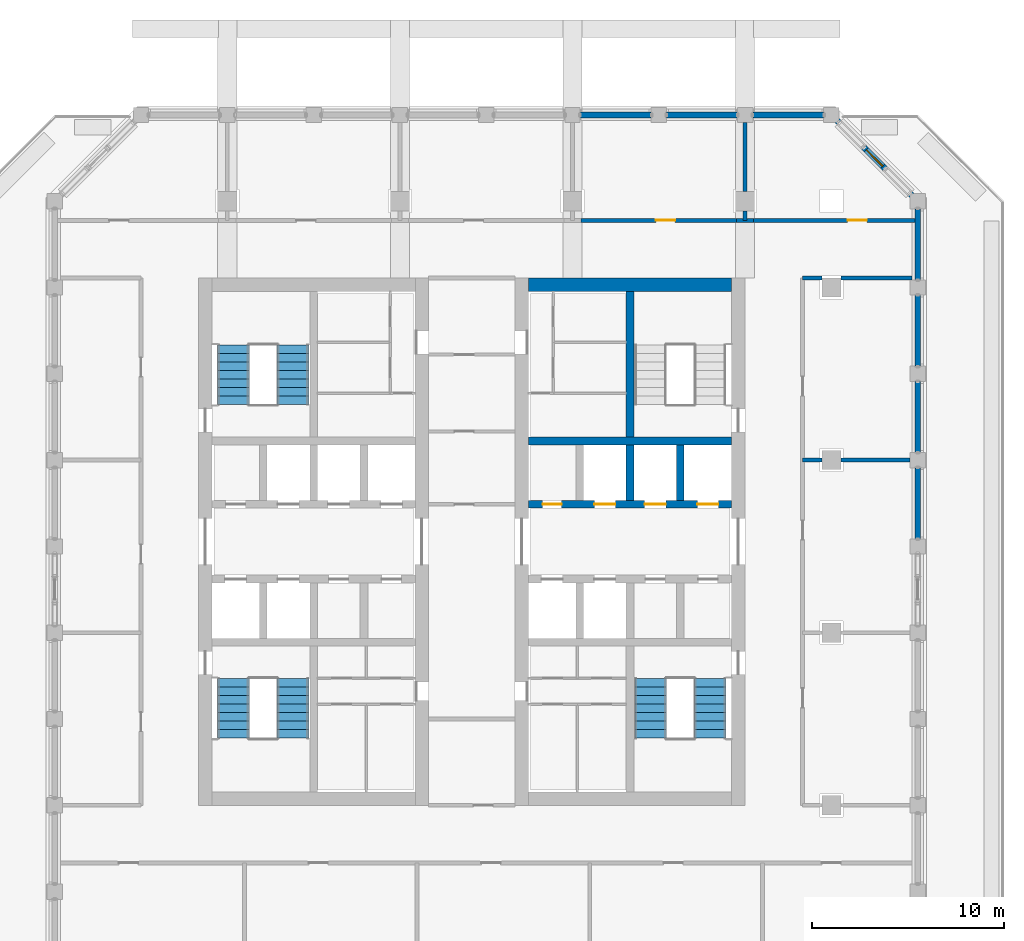
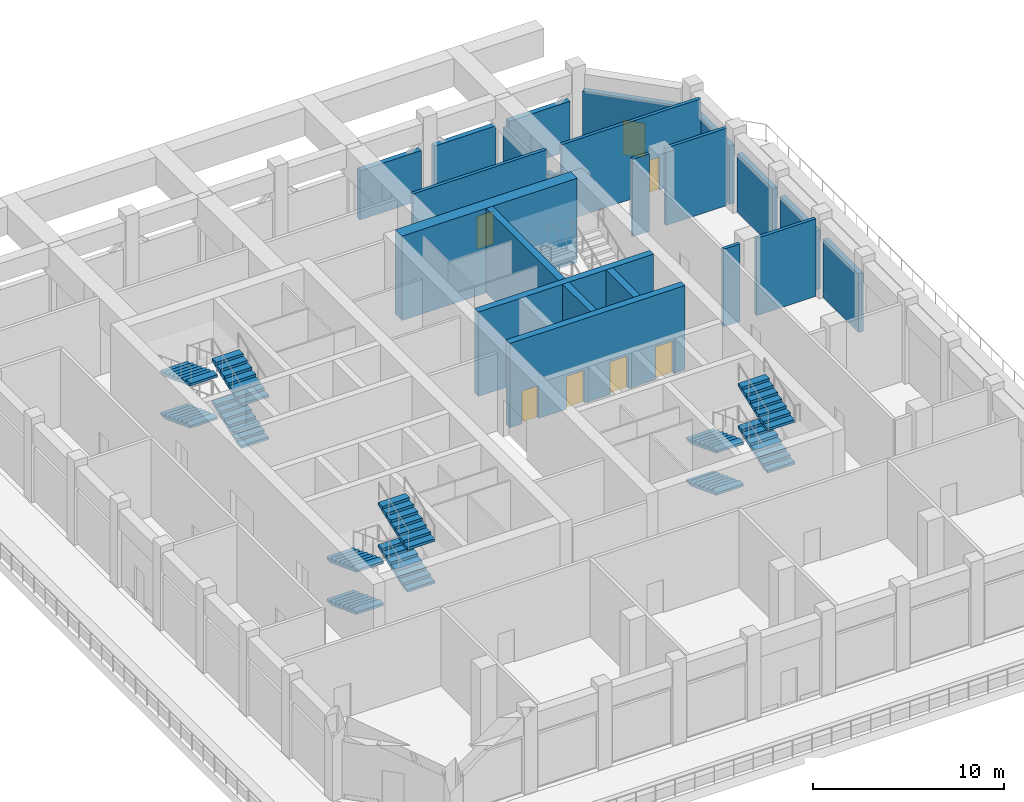
# One storey, part 7 of 19: 23 walls, 12 stair flights, 7 doors, 7 openings, 3 elements without a shape of their own.
"""IFC4 building model written with IfcOpenShell, lengths in metres."""

from ifc_helpers import new_model, si_unit, direction, frame, frame_2d, origin, place, context, subcontext, project, spatial, polyline, rectangle, outline, extrude, material, layer, layer_set, type_object, element, fill, aggregate, save


model = new_model("IFC4")

# Units and contexts
model_context = context("Model", 3, precision=1e-05, world=origin(), true_north=direction((0.0, 1.0)))
body_context = subcontext(model_context, "Body", "Model", "MODEL_VIEW")
ifc_project = project(units=[si_unit("LENGTHUNIT", "METRE"), si_unit("AREAUNIT", "SQUARE_METRE"), si_unit("VOLUMEUNIT", "CUBIC_METRE"), si_unit("PLANEANGLEUNIT", "RADIAN"), si_unit("MASSUNIT", "GRAM", prefix="KILO")], contexts=[model_context])

# Site, building, storey
site_placement = place(None, origin())
site = spatial("IfcSite", under=ifc_project, at=site_placement, CompositionType="ELEMENT")
building_placement = place(site_placement, origin())
building = spatial("IfcBuilding", under=site, at=building_placement, Name="Corbel Stack Research Tower", CompositionType="ELEMENT")
storey_placement = place(building_placement, frame((0.0, 0.0, 226.199951171875)))
storey = spatial("IfcBuildingStorey", under=building, at=storey_placement, Name="L51", CompositionType="ELEMENT", Elevation=226.199951171875)

# Wall, openings, doors
ifc_material_1 = material(Name="Concrete C60/75", Category="concrete")
ifc_layer_1 = layer(ifc_material_1, 0.39990234375)
ifc_layer_set_1 = layer_set([ifc_layer_1], Name="Concrete C60/75")
wall_type_1 = type_object("IfcWallType", Name="CW-400-60", PredefinedType="SHEAR", material=ifc_layer_set_1)
wall_1_placement = place(storey_placement, frame((6.699951171875, 6.699951171875, 0.0), z_axis=(0.0, 0.0, 1.0), x_axis=(1.0, 0.0, 0.0)))
wall_1 = element("IfcWall", 1, at=wall_1_placement, inside=storey, type_object=wall_type_1, Name="East core wall, lobby north L51", PredefinedType="SHEAR", context=body_context, shape_type="SweptSolid", body=[
    extrude(rectangle(XDim=10.60009765625, YDim=0.39990234375, at=frame_2d((5.300048828125, 0.0))), origin(), (0.0, 0.0, 1.0), 5.400146484375),
])
opening_1_placement = place(wall_1_placement, frame((3.4375, 0.0, 0.0)))
opening_1 = element("IfcOpeningElement", 2, at=opening_1_placement, cuts=wall_1, Name="Opening LD-HR4", PredefinedType="OPENING", context=body_context, shape_type="SweptSolid", body=[
    extrude(rectangle(XDim=1.10009765625, YDim=2.10009765625, at=frame_2d((0.550048828125, 1.050048828125))), frame((0.0, 0.2099609375, 0.0), z_axis=(0.0, -1.0, 0.0), x_axis=(1.0, 0.0, 0.0)), (0.0, 0.0, 1.0), 0.419921875),
])
opening_2_placement = place(wall_1_placement, frame((6.0625, 0.0, 0.0)))
opening_2 = element("IfcOpeningElement", 3, at=opening_2_placement, cuts=wall_1, Name="Opening LD-HR5", PredefinedType="OPENING", context=body_context, shape_type="SweptSolid", body=[
    extrude(rectangle(XDim=1.10009765625, YDim=2.10009765625, at=frame_2d((0.550048828125, 1.050048828125))), frame((0.0, 0.2099609375, 0.0), z_axis=(0.0, -1.0, 0.0), x_axis=(1.0, 0.0, 0.0)), (0.0, 0.0, 1.0), 0.419921875),
])
opening_3_placement = place(wall_1_placement, frame((8.8125, 0.0, 0.0)))
opening_3 = element("IfcOpeningElement", 4, at=opening_3_placement, cuts=wall_1, Name="Opening LD-HR6", PredefinedType="OPENING", context=body_context, shape_type="SweptSolid", body=[
    extrude(rectangle(XDim=1.10009765625, YDim=2.10009765625, at=frame_2d((0.550048828125, 1.050048828125))), frame((0.0, 0.2099609375, 0.0), z_axis=(0.0, -1.0, 0.0), x_axis=(1.0, 0.0, 0.0)), (0.0, 0.0, 1.0), 0.419921875),
])
opening_4_placement = place(wall_1_placement, frame((0.737548828125, 0.0, 0.0)))
opening_4 = element("IfcOpeningElement", 5, at=opening_4_placement, cuts=wall_1, Name="Opening CR-E54-N1", PredefinedType="OPENING", context=body_context, shape_type="SweptSolid", body=[
    extrude(rectangle(XDim=1.0, YDim=2.10009765625, at=frame_2d((0.5, 1.050048828125))), frame((0.0, 0.2099609375, 0.0), z_axis=(0.0, -1.0, 0.0), x_axis=(1.0, 0.0, 0.0)), (0.0, 0.0, 1.0), 0.419921875),
])
ifc_material_2 = material(Name="Stainless steel landing door", Category="steel")
door_type_1 = type_object("IfcDoorType", Name="Lift landing door 1100 x 2100", OperationType="DOUBLE_DOOR_SLIDING", PredefinedType="DOOR", material=ifc_material_2)
door_1_placement = place(opening_1_placement, origin())
door_1 = element("IfcDoor", 6, at=door_1_placement, inside=storey, type_object=door_type_1, Name="Landing door HR4", OperationType="DOUBLE_DOOR_SLIDING", OverallHeight=2.10009765625, OverallWidth=1.10009765625, PredefinedType="DOOR", context=body_context, shape_type="SweptSolid", body=[
    extrude(rectangle(XDim=1.10009765625, YDim=2.10009765625, at=frame_2d((0.550048828125, 1.050048828125))), frame((0.0, 0.02490234375, 0.0), z_axis=(0.0, -1.0, 0.0), x_axis=(1.0, 0.0, 0.0)), (0.0, 0.0, 1.0), 0.050048828125),
])
fill(opening_1, door_1)
door_2_placement = place(opening_2_placement, origin())
door_2 = element("IfcDoor", 7, at=door_2_placement, inside=storey, type_object=door_type_1, Name="Landing door HR5", OperationType="DOUBLE_DOOR_SLIDING", OverallHeight=2.10009765625, OverallWidth=1.10009765625, PredefinedType="DOOR", context=body_context, shape_type="SweptSolid", body=[
    extrude(rectangle(XDim=1.10009765625, YDim=2.10009765625, at=frame_2d((0.550048828125, 1.050048828125))), frame((0.0, 0.02490234375, 0.0), z_axis=(0.0, -1.0, 0.0), x_axis=(1.0, 0.0, 0.0)), (0.0, 0.0, 1.0), 0.050048828125),
])
fill(opening_2, door_2)
door_3_placement = place(opening_3_placement, origin())
door_3 = element("IfcDoor", 8, at=door_3_placement, inside=storey, type_object=door_type_1, Name="Landing door HR6", OperationType="DOUBLE_DOOR_SLIDING", OverallHeight=2.10009765625, OverallWidth=1.10009765625, PredefinedType="DOOR", context=body_context, shape_type="SweptSolid", body=[
    extrude(rectangle(XDim=1.10009765625, YDim=2.10009765625, at=frame_2d((0.550048828125, 1.050048828125))), frame((0.0, 0.02490234375, 0.0), z_axis=(0.0, -1.0, 0.0), x_axis=(1.0, 0.0, 0.0)), (0.0, 0.0, 1.0), 0.050048828125),
])
fill(opening_3, door_3)
ifc_material_3 = material(Name="Painted steel door", Category="steel")
door_type_2 = type_object("IfcDoorType", Name="Service door 1000 x 2100 FD60 left hand", OperationType="SINGLE_SWING_LEFT", PredefinedType="DOOR", material=ifc_material_3)
door_4_placement = place(opening_4_placement, origin())
door_4 = element("IfcDoor", 9, at=door_4_placement, inside=storey, type_object=door_type_2, Name="Mechanical room door E core", OperationType="SINGLE_SWING_LEFT", OverallHeight=2.10009765625, OverallWidth=1.0, PredefinedType="DOOR", context=body_context, shape_type="SweptSolid", body=[
    extrude(rectangle(XDim=1.0, YDim=2.10009765625, at=frame_2d((0.5, 1.050048828125))), frame((0.0, 0.02490234375, 0.0), z_axis=(0.0, -1.0, 0.0), x_axis=(1.0, 0.0, 0.0)), (0.0, 0.0, 1.0), 0.050048828125),
])
fill(opening_4, door_4)

# Walls
wall_2_placement = place(storey_placement, frame((6.699951171875, 10.0, 0.0), z_axis=(0.0, 0.0, 1.0), x_axis=(1.0, 0.0, 0.0)))
element("IfcWall", 10, at=wall_2_placement, inside=storey, type_object=wall_type_1, Name="East core wall, north row back L51", PredefinedType="SHEAR", context=body_context, shape_type="SweptSolid", body=[
    extrude(rectangle(XDim=10.60009765625, YDim=0.39990234375, at=frame_2d((5.300048828125, 0.0))), origin(), (0.0, 0.0, 1.0), 5.400146484375),
])
for number, where, z_axis, x_axis, name in (
    (11, (12.0, 6.89990234375, 0.0), (0.0, 0.0, 1.0), (0.0, 1.0, 0.0), "East core wall, north shaft 2 L51"),
    (12, (14.625, 6.89990234375, 0.0), (0.0, 0.0, 1.0), (0.0, 1.0, 0.0), "East core wall, north shaft 3 L51"),
):
    element("IfcWall", number, at=place(storey_placement, frame(where, z_axis=z_axis, x_axis=x_axis)), inside=storey, type_object=wall_type_1, Name=name, PredefinedType="SHEAR", context=body_context, shape_type="SweptSolid", body=[
        extrude(rectangle(XDim=2.900146484375, YDim=0.39990234375, at=frame_2d((1.4501953125, 0.0))), origin(), (0.0, 0.0, 1.0), 5.400146484375),
    ])
wall_3_placement = place(storey_placement, frame((12.0, 10.199951171875, 0.0), z_axis=(0.0, 0.0, 1.0), x_axis=(0.0, 1.0, 0.0)))
element("IfcWall", 13, at=wall_3_placement, inside=storey, type_object=wall_type_1, Name="East core wall, north stair and riser L51", PredefinedType="SHEAR", context=body_context, shape_type="SweptSolid", body=[
    extrude(rectangle(XDim=7.60009765625, YDim=0.39990234375, at=frame_2d((3.800048828125, 0.0))), origin(), (0.0, 0.0, 1.0), 5.400146484375),
])
ifc_material_4 = material(Name="Concrete C60/75", Category="concrete")
ifc_layer_2 = layer(ifc_material_4, 0.699951171875)
ifc_layer_set_2 = layer_set([ifc_layer_2], Name="Concrete C60/75")
wall_type_2 = type_object("IfcWallType", Name="CW-700-60", PredefinedType="SHEAR", material=ifc_layer_set_2)
wall_4_placement = place(storey_placement, frame((6.699951171875, 18.14990234375, 0.0), z_axis=(0.0, 0.0, 1.0), x_axis=(1.0, 0.0, 0.0)))
element("IfcWall", 14, at=wall_4_placement, inside=storey, type_object=wall_type_2, Name="East core wall, north end L51", PredefinedType="SHEAR", context=body_context, shape_type="SweptSolid", body=[
    extrude(rectangle(XDim=10.60009765625, YDim=0.699951171875, at=frame_2d((5.300048828125, 0.0))), origin(), (0.0, 0.0, 1.0), 5.400146484375),
])
ifc_material_5 = material(Name="Fire-rated gypsum board partition on steel studs", Category="steel")
ifc_layer_3 = layer(ifc_material_5, 0.199951171875)
ifc_layer_set_3 = layer_set([ifc_layer_3], Name="Fire-rated gypsum board partition on steel studs")
wall_type_3 = type_object("IfcWallType", Name="Fire-rated partition 200 EI 60", PredefinedType="PARTITIONING", material=ifc_layer_set_3)
wall_5_placement = place(storey_placement, frame((18.0, 21.5, 0.0), z_axis=(0.0, 0.0, 1.0), x_axis=(0.0, 1.0, 0.0)))
element("IfcWall", 15, at=wall_5_placement, inside=storey, type_object=wall_type_3, Name="Partition L51-011", PredefinedType="PARTITIONING", context=body_context, shape_type="SweptSolid", body=[
    extrude(rectangle(XDim=0.5, YDim=0.199951171875, at=frame_2d((0.25, 0.0))), origin(), (0.0, 0.0, 1.0), 3.1201171875),
])
wall_6_placement = place(storey_placement, frame((18.0, 23.0, 0.0), z_axis=(0.0, 0.0, 1.0), x_axis=(0.0, 1.0, 0.0)))
element("IfcWall", 16, at=wall_6_placement, inside=storey, type_object=wall_type_3, Name="Partition L51-012", PredefinedType="PARTITIONING", context=body_context, shape_type="SweptSolid", body=[
    extrude(rectangle(XDim=3.60009765625, YDim=0.199951171875, at=frame_2d((1.800048828125, 0.0))), origin(), (0.0, 0.0, 1.0), 3.1201171875),
])
wall_7_placement = place(storey_placement, frame((21.0, 9.0, 0.0), z_axis=(0.0, 0.0, 1.0), x_axis=(1.0, 0.0, 0.0)))
element("IfcWall", 17, at=wall_7_placement, inside=storey, type_object=wall_type_3, Name="Partition L51-026", PredefinedType="PARTITIONING", context=body_context, shape_type="SweptSolid", body=[
    extrude(rectangle(XDim=1.0, YDim=0.199951171875, at=frame_2d((0.5, 0.0))), origin(), (0.0, 0.0, 1.0), 4.949951171875),
])
wall_8_placement = place(storey_placement, frame((23.0, 9.0, 0.0), z_axis=(0.0, 0.0, 1.0), x_axis=(1.0, 0.0, 0.0)))
element("IfcWall", 18, at=wall_8_placement, inside=storey, type_object=wall_type_3, Name="Partition L51-027", PredefinedType="PARTITIONING", context=body_context, shape_type="SweptSolid", body=[
    extrude(rectangle(XDim=3.60009765625, YDim=0.199951171875, at=frame_2d((1.800048828125, 0.0))), origin(), (0.0, 0.0, 1.0), 4.949951171875),
])
wall_9_placement = place(storey_placement, frame((21.0, 18.5, 0.0), z_axis=(0.0, 0.0, 1.0), x_axis=(1.0, 0.0, 0.0)))
element("IfcWall", 19, at=wall_9_placement, inside=storey, type_object=wall_type_3, Name="Partition L51-032", PredefinedType="PARTITIONING", context=body_context, shape_type="SweptSolid", body=[
    extrude(rectangle(XDim=1.0, YDim=0.199951171875, at=frame_2d((0.5, 0.0))), origin(), (0.0, 0.0, 1.0), 4.949951171875),
])
wall_10_placement = place(storey_placement, frame((23.0, 18.5, 0.0), z_axis=(0.0, 0.0, 1.0), x_axis=(1.0, 0.0, 0.0)))
element("IfcWall", 20, at=wall_10_placement, inside=storey, type_object=wall_type_3, Name="Partition L51-033", PredefinedType="PARTITIONING", context=body_context, shape_type="SweptSolid", body=[
    extrude(rectangle(XDim=3.700927734375, YDim=0.199951171875, at=frame_2d((1.8505859375, 0.0))), origin(), (0.0, 0.0, 1.0), 4.949951171875),
])

# Wall, opening, door
wall_11_placement = place(storey_placement, frame((9.449951171875, 21.5, 0.0), z_axis=(0.0, 0.0, 1.0), x_axis=(1.0, 0.0, 0.0)))
wall_11 = element("IfcWall", 21, at=wall_11_placement, inside=storey, type_object=wall_type_3, Name="Partition L51-040", PredefinedType="PARTITIONING", context=body_context, shape_type="SweptSolid", body=[
    extrude(rectangle(XDim=8.10009765625, YDim=0.199951171875, at=frame_2d((4.050048828125, 0.0))), origin(), (0.0, 0.0, 1.0), 4.949951171875),
])
opening_5_placement = place(wall_11_placement, frame((3.89990234375, 0.0, 0.0)))
opening_5 = element("IfcOpeningElement", 22, at=opening_5_placement, cuts=wall_11, Name="Opening PLANTL51-019", PredefinedType="OPENING", context=body_context, shape_type="SweptSolid", body=[
    extrude(rectangle(XDim=1.0, YDim=2.10009765625, at=frame_2d((0.5, 1.050048828125))), frame((0.0, 0.10986328125, 0.0), z_axis=(0.0, -1.0, 0.0), x_axis=(1.0, 0.0, 0.0)), (0.0, 0.0, 1.0), 0.219970703125),
])
ifc_material_6 = material(Name="Painted steel fire door", Category="steel")
door_type_3 = type_object("IfcDoorType", Name="Fire door FD30S 1000 x 2100", OperationType="NOTDEFINED", PredefinedType="DOOR", material=ifc_material_6)
door_5_placement = place(opening_5_placement, origin())
door_5 = element("IfcDoor", 23, at=door_5_placement, inside=storey, type_object=door_type_3, Name="Door PLANTL51-019", OperationType="SINGLE_SWING_RIGHT", OverallHeight=2.10009765625, OverallWidth=1.0, PredefinedType="DOOR", context=body_context, shape_type="SweptSolid", body=[
    extrude(rectangle(XDim=1.0, YDim=2.10009765625, at=frame_2d((0.5, 1.050048828125))), frame((0.0, 0.02490234375, 0.0), z_axis=(0.0, -1.0, 0.0), x_axis=(1.0, 0.0, 0.0)), (0.0, 0.0, 1.0), 0.050048828125),
])
fill(opening_5, door_5)

# Wall
wall_12_placement = place(storey_placement, frame((17.550048828125, 21.5, 0.0), z_axis=(0.0, 0.0, 1.0), x_axis=(1.0, 0.0, 0.0)))
element("IfcWall", 24, at=wall_12_placement, inside=storey, type_object=wall_type_3, Name="Partition L51-041", PredefinedType="PARTITIONING", context=body_context, shape_type="SweptSolid", body=[
    extrude(rectangle(XDim=0.89990234375, YDim=0.199951171875, at=frame_2d((0.449951171875, 0.0))), origin(), (0.0, 0.0, 1.0), 3.1201171875),
])

# Wall, opening, door
wall_13_placement = place(storey_placement, frame((18.449951171875, 21.5, 0.0), z_axis=(0.0, 0.0, 1.0), x_axis=(1.0, 0.0, 0.0)))
wall_13 = element("IfcWall", 25, at=wall_13_placement, inside=storey, type_object=wall_type_3, Name="Partition L51-042", PredefinedType="PARTITIONING", context=body_context, shape_type="SweptSolid", body=[
    extrude(rectangle(XDim=8.400146484375, YDim=0.199951171875, at=frame_2d((4.2001953125, 0.0))), origin(), (0.0, 0.0, 1.0), 4.949951171875),
])
opening_6_placement = place(wall_13_placement, frame((4.89990234375, 0.0, 0.0)))
opening_6 = element("IfcOpeningElement", 26, at=opening_6_placement, cuts=wall_13, Name="Opening PLANTL51-020", PredefinedType="OPENING", context=body_context, shape_type="SweptSolid", body=[
    extrude(rectangle(XDim=1.0, YDim=2.10009765625, at=frame_2d((0.5, 1.050048828125))), frame((0.0, 0.10986328125, 0.0), z_axis=(0.0, -1.0, 0.0), x_axis=(1.0, 0.0, 0.0)), (0.0, 0.0, 1.0), 0.219970703125),
])
door_6_placement = place(opening_6_placement, origin())
door_6 = element("IfcDoor", 27, at=door_6_placement, inside=storey, type_object=door_type_3, Name="Door PLANTL51-020", OperationType="SINGLE_SWING_RIGHT", OverallHeight=2.10009765625, OverallWidth=1.0, PredefinedType="DOOR", context=body_context, shape_type="SweptSolid", body=[
    extrude(rectangle(XDim=1.0, YDim=2.10009765625, at=frame_2d((0.5, 1.050048828125))), frame((0.0, 0.02490234375, 0.0), z_axis=(0.0, -1.0, 0.0), x_axis=(1.0, 0.0, 0.0)), (0.0, 0.0, 1.0), 0.050048828125),
])
fill(opening_6, door_6)

# Walls
ifc_material_7 = material(Name="Concrete C45/55", Category="concrete")
ifc_layer_4 = layer(ifc_material_7, 0.300048828125)
ifc_layer_set_4 = layer_set([ifc_layer_4], Name="Concrete C45/55")
wall_type_4 = type_object("IfcWallType", Name="Terracotta-faced concrete wall 300", PredefinedType="SOLIDWALL", material=ifc_layer_set_4)
for number, where, z_axis, x_axis, name in (
    (28, (27.0, 8.60009765625, 0.0), (0.0, 0.0, 1.0), (0.0, -1.0, 0.0), "Facade wall L51 E06"),
    (29, (27.0, 13.10009765625, 0.0), (0.0, 0.0, 1.0), (0.0, -1.0, 0.0), "Facade wall L51 E07"),
    (30, (27.0, 17.60009765625, 0.0), (0.0, 0.0, 1.0), (0.0, -1.0, 0.0), "Facade wall L51 E08"),
    (31, (27.0, 22.10009765625, 0.0), (0.0, 0.0, 1.0), (0.0, -1.0, 0.0), "Facade wall L51 E09"),
):
    element("IfcWall", number, at=place(storey_placement, frame(where, z_axis=z_axis, x_axis=x_axis)), inside=storey, type_object=wall_type_4, Name=name, PredefinedType="SOLIDWALL", context=body_context, shape_type="SweptSolid", body=[
        extrude(rectangle(XDim=3.7001953125, YDim=0.300048828125, at=frame_2d((1.85009765625, 0.0))), origin(), (0.0, 0.0, 1.0), 3.75),
    ])

# Wall, opening, door
wall_14_placement = place(storey_placement, frame((22.7939453125, 26.7060546875, 0.0), z_axis=(0.0, 0.0, 1.0), x_axis=(0.707106781187, -0.707106781187, 0.0)))
wall_14 = element("IfcWall", 32, at=wall_14_placement, inside=storey, type_object=wall_type_4, Name="Facade wall L51 NE01", PredefinedType="SOLIDWALL", context=body_context, shape_type="SweptSolid", body=[
    extrude(rectangle(XDim=5.532470703125, YDim=0.300048828125, at=frame_2d((2.76611328125, 0.0))), origin(), (0.0, 0.0, 1.0), 3.75),
])
opening_7_placement = place(wall_14_placement, frame((2.166259765625, 0.0, 0.0)))
opening_7 = element("IfcOpeningElement", 33, at=opening_7_placement, cuts=wall_14, Name="Opening L51-B04", PredefinedType="OPENING", context=body_context, shape_type="SweptSolid", body=[
    extrude(rectangle(XDim=1.199951171875, YDim=2.199951171875, at=frame_2d((0.60009765625, 1.10009765625))), frame((0.0, 0.159912109375, 0.0), z_axis=(0.0, -1.0, 0.0), x_axis=(1.0, 0.0, 0.0)), (0.0, 0.0, 1.0), 0.320068359375),
])
ifc_material_8 = material(Name="Aluminium frame, clear double glazing", Category="aluminium")
door_type_4 = type_object("IfcDoorType", Name="Balcony door BD2 1200 x 2200", OperationType="NOTDEFINED", PredefinedType="DOOR", material=ifc_material_8)
door_7_placement = place(opening_7_placement, origin())
door_7 = element("IfcDoor", 34, at=door_7_placement, inside=storey, type_object=door_type_4, Name="Balcony door L51-B04", OperationType="SINGLE_SWING_RIGHT", OverallHeight=2.199951171875, OverallWidth=1.199951171875, PredefinedType="DOOR", context=body_context, shape_type="SweptSolid", body=[
    extrude(rectangle(XDim=1.199951171875, YDim=2.199951171875, at=frame_2d((0.60009765625, 1.10009765625))), frame((0.0, 0.02490234375, 0.0), z_axis=(0.0, -1.0, 0.0), x_axis=(1.0, 0.0, 0.0)), (0.0, 0.0, 1.0), 0.050048828125),
])
fill(opening_7, door_7)

# Walls
for number, where, z_axis, x_axis, name in (
    (35, (18.39990234375, 27.0, 0.0), (0.0, 0.0, 1.0), (1.0, 0.0, 0.0), "Facade wall L51 N01"),
    (36, (13.89990234375, 27.0, 0.0), (0.0, 0.0, 1.0), (1.0, 0.0, 0.0), "Facade wall L51 N02"),
    (37, (9.39990234375, 27.0, 0.0), (0.0, 0.0, 1.0), (1.0, 0.0, 0.0), "Facade wall L51 N03"),
):
    element("IfcWall", number, at=place(storey_placement, frame(where, z_axis=z_axis, x_axis=x_axis)), inside=storey, type_object=wall_type_4, Name=name, PredefinedType="SOLIDWALL", context=body_context, shape_type="SweptSolid", body=[
        extrude(rectangle(XDim=3.7001953125, YDim=0.300048828125, at=frame_2d((1.85009765625, 0.0))), origin(), (0.0, 0.0, 1.0), 3.150146484375),
    ])

# Stair, stair flights
ifc_material_9 = material(Name="Concrete C40/50", Category="concrete")
stair_type = type_object("IfcStairType", Name="Exit stair 32 risers, 443 going", PredefinedType="HALF_TURN_STAIR", material=ifc_material_9)
stair_1_placement = place(storey_placement, origin())
stair_1 = element("IfcStair", 38, at=stair_1_placement, inside=storey, type_object=stair_type, Name="L51 Exit stair ST-W1", PredefinedType="HALF_TURN_STAIR")
ifc_material_10 = material(Name="Concrete C40/50", Category="concrete")
stair_flight_type = type_object("IfcStairFlightType", Name="Stair flight 8 risers, 443 going", PredefinedType="STRAIGHT", material=ifc_material_10)
stair_flight_1_placement = place(storey_placement, frame((-8.675048828125, -2.39990234375, 0.0), z_axis=(0.0, 0.0, 1.0), x_axis=(0.0, -1.0, 0.0)))
stair_flight_1 = element("IfcStairFlight", 39, at=stair_flight_1_placement, type_object=stair_flight_type, Name="ST-W1 flight 1", NumberOfRisers=8, NumberOfTreads=7, PredefinedType="STRAIGHT", RiserHeight=0.16875, TreadLength=0.443, context=body_context, shape_type="SweptSolid", body=[
    extrude(outline(polyline([(0.0, 0.0), (0.0, 0.168701171875), (0.443115234375, 0.168701171875), (0.443115234375, 0.33740234375), (0.885986328125, 0.33740234375), (0.885986328125, 0.50634765625), (1.3291015625, 0.50634765625), (1.3291015625, 0.675048828125), (1.77197265625, 0.675048828125), (1.77197265625, 0.84375), (2.215087890625, 0.84375), (2.215087890625, 1.012451171875), (2.657958984375, 1.012451171875), (2.657958984375, 1.18115234375), (3.10107421875, 1.18115234375), (3.10107421875, 1.35009765625), (3.10107421875, 1.020751953125), (0.421142578125, 0.0), (0.0, 0.0)])), frame((0.0, 0.824951171875, 0.0), z_axis=(0.0, -1.0, 0.0), x_axis=(1.0, 0.0, 0.0)), (0.0, 0.0, 1.0), 1.64990234375),
])
stair_flight_2_placement = place(storey_placement, frame((-5.574951171875, -5.5009765625, 1.35009765625), z_axis=(0.0, 0.0, 1.0), x_axis=(0.0, 1.0, 0.0)))
stair_flight_2 = element("IfcStairFlight", 40, at=stair_flight_2_placement, type_object=stair_flight_type, Name="ST-W1 flight 2", NumberOfRisers=8, NumberOfTreads=7, PredefinedType="STRAIGHT", RiserHeight=0.16875, TreadLength=0.443, context=body_context, shape_type="SweptSolid", body=[
    extrude(outline(polyline([(0.0, 0.0), (0.0, 0.168701171875), (0.443115234375, 0.168701171875), (0.443115234375, 0.33740234375), (0.885986328125, 0.33740234375), (0.885986328125, 0.50634765625), (1.3291015625, 0.50634765625), (1.3291015625, 0.675048828125), (1.77197265625, 0.675048828125), (1.77197265625, 0.84375), (2.215087890625, 0.84375), (2.215087890625, 1.012451171875), (2.657958984375, 1.012451171875), (2.657958984375, 1.18115234375), (3.10107421875, 1.18115234375), (3.10107421875, 1.35009765625), (3.10107421875, 1.020751953125), (0.421142578125, 0.0), (0.0, 0.0)])), frame((0.0, 0.824951171875, 0.0), z_axis=(0.0, -1.0, 0.0), x_axis=(1.0, 0.0, 0.0)), (0.0, 0.0, 1.0), 1.64990234375),
])
stair_flight_3_placement = place(storey_placement, frame((-8.675048828125, -2.39990234375, 2.699951171875), z_axis=(0.0, 0.0, 1.0), x_axis=(0.0, -1.0, 0.0)))
stair_flight_3 = element("IfcStairFlight", 41, at=stair_flight_3_placement, type_object=stair_flight_type, Name="ST-W1 flight 3", NumberOfRisers=8, NumberOfTreads=7, PredefinedType="STRAIGHT", RiserHeight=0.16875, TreadLength=0.443, context=body_context, shape_type="SweptSolid", body=[
    extrude(outline(polyline([(0.0, 0.0), (0.0, 0.168701171875), (0.443115234375, 0.168701171875), (0.443115234375, 0.33740234375), (0.885986328125, 0.33740234375), (0.885986328125, 0.50634765625), (1.3291015625, 0.50634765625), (1.3291015625, 0.675048828125), (1.77197265625, 0.675048828125), (1.77197265625, 0.84375), (2.215087890625, 0.84375), (2.215087890625, 1.012451171875), (2.657958984375, 1.012451171875), (2.657958984375, 1.18115234375), (3.10107421875, 1.18115234375), (3.10107421875, 1.35009765625), (3.10107421875, 1.020751953125), (0.421142578125, 0.0), (0.0, 0.0)])), frame((0.0, 0.824951171875, 0.0), z_axis=(0.0, -1.0, 0.0), x_axis=(1.0, 0.0, 0.0)), (0.0, 0.0, 1.0), 1.64990234375),
])
stair_flight_4_placement = place(storey_placement, frame((-5.574951171875, -5.5009765625, 4.050048828125), z_axis=(0.0, 0.0, 1.0), x_axis=(0.0, 1.0, 0.0)))
stair_flight_4 = element("IfcStairFlight", 42, at=stair_flight_4_placement, type_object=stair_flight_type, Name="ST-W1 flight 4", NumberOfRisers=8, NumberOfTreads=7, PredefinedType="STRAIGHT", RiserHeight=0.16875, TreadLength=0.443, context=body_context, shape_type="SweptSolid", body=[
    extrude(outline(polyline([(0.0, 0.0), (0.0, 0.168701171875), (0.443115234375, 0.168701171875), (0.443115234375, 0.33740234375), (0.885986328125, 0.33740234375), (0.885986328125, 0.50634765625), (1.3291015625, 0.50634765625), (1.3291015625, 0.675048828125), (1.77197265625, 0.675048828125), (1.77197265625, 0.84375), (2.215087890625, 0.84375), (2.215087890625, 1.012451171875), (2.657958984375, 1.012451171875), (2.657958984375, 1.18115234375), (3.10107421875, 1.18115234375), (3.10107421875, 1.35009765625), (3.10107421875, 1.020751953125), (0.421142578125, 0.0), (0.0, 0.0)])), frame((0.0, 0.824951171875, 0.0), z_axis=(0.0, -1.0, 0.0), x_axis=(1.0, 0.0, 0.0)), (0.0, 0.0, 1.0), 1.64990234375),
])
aggregate(stair_1, [stair_flight_1, stair_flight_2, stair_flight_3, stair_flight_4])

stair_2_placement = place(storey_placement, origin())
stair_2 = element("IfcStair", 43, at=stair_2_placement, inside=storey, type_object=stair_type, Name="L51 Exit stair ST-W2", PredefinedType="HALF_TURN_STAIR")
stair_flight_5_placement = place(storey_placement, frame((-5.574951171875, 11.89990234375, 0.0), z_axis=(0.0, 0.0, 1.0), x_axis=(0.0, 1.0, 0.0)))
stair_flight_5 = element("IfcStairFlight", 44, at=stair_flight_5_placement, type_object=stair_flight_type, Name="ST-W2 flight 1", NumberOfRisers=8, NumberOfTreads=7, PredefinedType="STRAIGHT", RiserHeight=0.16875, TreadLength=0.443, context=body_context, shape_type="SweptSolid", body=[
    extrude(outline(polyline([(0.0, 0.0), (0.0, 0.168701171875), (0.443115234375, 0.168701171875), (0.443115234375, 0.33740234375), (0.885986328125, 0.33740234375), (0.885986328125, 0.50634765625), (1.3291015625, 0.50634765625), (1.3291015625, 0.675048828125), (1.77197265625, 0.675048828125), (1.77197265625, 0.84375), (2.215087890625, 0.84375), (2.215087890625, 1.012451171875), (2.657958984375, 1.012451171875), (2.657958984375, 1.18115234375), (3.10107421875, 1.18115234375), (3.10107421875, 1.35009765625), (3.10107421875, 1.020751953125), (0.421142578125, 0.0), (0.0, 0.0)])), frame((0.0, 0.824951171875, 0.0), z_axis=(0.0, -1.0, 0.0), x_axis=(1.0, 0.0, 0.0)), (0.0, 0.0, 1.0), 1.64990234375),
])
stair_flight_6_placement = place(storey_placement, frame((-8.675048828125, 15.0009765625, 1.35009765625), z_axis=(0.0, 0.0, 1.0), x_axis=(0.0, -1.0, 0.0)))
stair_flight_6 = element("IfcStairFlight", 45, at=stair_flight_6_placement, type_object=stair_flight_type, Name="ST-W2 flight 2", NumberOfRisers=8, NumberOfTreads=7, PredefinedType="STRAIGHT", RiserHeight=0.16875, TreadLength=0.443, context=body_context, shape_type="SweptSolid", body=[
    extrude(outline(polyline([(0.0, 0.0), (0.0, 0.168701171875), (0.443115234375, 0.168701171875), (0.443115234375, 0.33740234375), (0.885986328125, 0.33740234375), (0.885986328125, 0.50634765625), (1.3291015625, 0.50634765625), (1.3291015625, 0.675048828125), (1.77197265625, 0.675048828125), (1.77197265625, 0.84375), (2.215087890625, 0.84375), (2.215087890625, 1.012451171875), (2.657958984375, 1.012451171875), (2.657958984375, 1.18115234375), (3.10107421875, 1.18115234375), (3.10107421875, 1.35009765625), (3.10107421875, 1.020751953125), (0.421142578125, 0.0), (0.0, 0.0)])), frame((0.0, 0.824951171875, 0.0), z_axis=(0.0, -1.0, 0.0), x_axis=(1.0, 0.0, 0.0)), (0.0, 0.0, 1.0), 1.64990234375),
])
stair_flight_7_placement = place(storey_placement, frame((-5.574951171875, 11.89990234375, 2.699951171875), z_axis=(0.0, 0.0, 1.0), x_axis=(0.0, 1.0, 0.0)))
stair_flight_7 = element("IfcStairFlight", 46, at=stair_flight_7_placement, type_object=stair_flight_type, Name="ST-W2 flight 3", NumberOfRisers=8, NumberOfTreads=7, PredefinedType="STRAIGHT", RiserHeight=0.16875, TreadLength=0.443, context=body_context, shape_type="SweptSolid", body=[
    extrude(outline(polyline([(0.0, 0.0), (0.0, 0.168701171875), (0.443115234375, 0.168701171875), (0.443115234375, 0.33740234375), (0.885986328125, 0.33740234375), (0.885986328125, 0.50634765625), (1.3291015625, 0.50634765625), (1.3291015625, 0.675048828125), (1.77197265625, 0.675048828125), (1.77197265625, 0.84375), (2.215087890625, 0.84375), (2.215087890625, 1.012451171875), (2.657958984375, 1.012451171875), (2.657958984375, 1.18115234375), (3.10107421875, 1.18115234375), (3.10107421875, 1.35009765625), (3.10107421875, 1.020751953125), (0.421142578125, 0.0), (0.0, 0.0)])), frame((0.0, 0.824951171875, 0.0), z_axis=(0.0, -1.0, 0.0), x_axis=(1.0, 0.0, 0.0)), (0.0, 0.0, 1.0), 1.64990234375),
])
stair_flight_8_placement = place(storey_placement, frame((-8.675048828125, 15.0009765625, 4.050048828125), z_axis=(0.0, 0.0, 1.0), x_axis=(0.0, -1.0, 0.0)))
stair_flight_8 = element("IfcStairFlight", 47, at=stair_flight_8_placement, type_object=stair_flight_type, Name="ST-W2 flight 4", NumberOfRisers=8, NumberOfTreads=7, PredefinedType="STRAIGHT", RiserHeight=0.16875, TreadLength=0.443, context=body_context, shape_type="SweptSolid", body=[
    extrude(outline(polyline([(0.0, 0.0), (0.0, 0.168701171875), (0.443115234375, 0.168701171875), (0.443115234375, 0.33740234375), (0.885986328125, 0.33740234375), (0.885986328125, 0.50634765625), (1.3291015625, 0.50634765625), (1.3291015625, 0.675048828125), (1.77197265625, 0.675048828125), (1.77197265625, 0.84375), (2.215087890625, 0.84375), (2.215087890625, 1.012451171875), (2.657958984375, 1.012451171875), (2.657958984375, 1.18115234375), (3.10107421875, 1.18115234375), (3.10107421875, 1.35009765625), (3.10107421875, 1.020751953125), (0.421142578125, 0.0), (0.0, 0.0)])), frame((0.0, 0.824951171875, 0.0), z_axis=(0.0, -1.0, 0.0), x_axis=(1.0, 0.0, 0.0)), (0.0, 0.0, 1.0), 1.64990234375),
])
aggregate(stair_2, [stair_flight_5, stair_flight_6, stair_flight_7, stair_flight_8])

stair_3_placement = place(storey_placement, origin())
stair_3 = element("IfcStair", 48, at=stair_3_placement, inside=storey, type_object=stair_type, Name="L51 Exit stair ST-E1", PredefinedType="HALF_TURN_STAIR")
stair_flight_9_placement = place(storey_placement, frame((13.074951171875, -2.39990234375, 0.0), z_axis=(0.0, 0.0, 1.0), x_axis=(0.0, -1.0, 0.0)))
stair_flight_9 = element("IfcStairFlight", 49, at=stair_flight_9_placement, type_object=stair_flight_type, Name="ST-E1 flight 1", NumberOfRisers=8, NumberOfTreads=7, PredefinedType="STRAIGHT", RiserHeight=0.16875, TreadLength=0.443, context=body_context, shape_type="SweptSolid", body=[
    extrude(outline(polyline([(0.0, 0.0), (0.0, 0.168701171875), (0.443115234375, 0.168701171875), (0.443115234375, 0.33740234375), (0.885986328125, 0.33740234375), (0.885986328125, 0.50634765625), (1.3291015625, 0.50634765625), (1.3291015625, 0.675048828125), (1.77197265625, 0.675048828125), (1.77197265625, 0.84375), (2.215087890625, 0.84375), (2.215087890625, 1.012451171875), (2.657958984375, 1.012451171875), (2.657958984375, 1.18115234375), (3.10107421875, 1.18115234375), (3.10107421875, 1.35009765625), (3.10107421875, 1.020751953125), (0.421142578125, 0.0), (0.0, 0.0)])), frame((0.0, 0.824951171875, 0.0), z_axis=(0.0, -1.0, 0.0), x_axis=(1.0, 0.0, 0.0)), (0.0, 0.0, 1.0), 1.64990234375),
])
stair_flight_10_placement = place(storey_placement, frame((16.175048828125, -5.5009765625, 1.35009765625), z_axis=(0.0, 0.0, 1.0), x_axis=(0.0, 1.0, 0.0)))
stair_flight_10 = element("IfcStairFlight", 50, at=stair_flight_10_placement, type_object=stair_flight_type, Name="ST-E1 flight 2", NumberOfRisers=8, NumberOfTreads=7, PredefinedType="STRAIGHT", RiserHeight=0.16875, TreadLength=0.443, context=body_context, shape_type="SweptSolid", body=[
    extrude(outline(polyline([(0.0, 0.0), (0.0, 0.168701171875), (0.443115234375, 0.168701171875), (0.443115234375, 0.33740234375), (0.885986328125, 0.33740234375), (0.885986328125, 0.50634765625), (1.3291015625, 0.50634765625), (1.3291015625, 0.675048828125), (1.77197265625, 0.675048828125), (1.77197265625, 0.84375), (2.215087890625, 0.84375), (2.215087890625, 1.012451171875), (2.657958984375, 1.012451171875), (2.657958984375, 1.18115234375), (3.10107421875, 1.18115234375), (3.10107421875, 1.35009765625), (3.10107421875, 1.020751953125), (0.421142578125, 0.0), (0.0, 0.0)])), frame((0.0, 0.824951171875, 0.0), z_axis=(0.0, -1.0, 0.0), x_axis=(1.0, 0.0, 0.0)), (0.0, 0.0, 1.0), 1.64990234375),
])
stair_flight_11_placement = place(storey_placement, frame((13.074951171875, -2.39990234375, 2.699951171875), z_axis=(0.0, 0.0, 1.0), x_axis=(0.0, -1.0, 0.0)))
stair_flight_11 = element("IfcStairFlight", 51, at=stair_flight_11_placement, type_object=stair_flight_type, Name="ST-E1 flight 3", NumberOfRisers=8, NumberOfTreads=7, PredefinedType="STRAIGHT", RiserHeight=0.16875, TreadLength=0.443, context=body_context, shape_type="SweptSolid", body=[
    extrude(outline(polyline([(0.0, 0.0), (0.0, 0.168701171875), (0.443115234375, 0.168701171875), (0.443115234375, 0.33740234375), (0.885986328125, 0.33740234375), (0.885986328125, 0.50634765625), (1.3291015625, 0.50634765625), (1.3291015625, 0.675048828125), (1.77197265625, 0.675048828125), (1.77197265625, 0.84375), (2.215087890625, 0.84375), (2.215087890625, 1.012451171875), (2.657958984375, 1.012451171875), (2.657958984375, 1.18115234375), (3.10107421875, 1.18115234375), (3.10107421875, 1.35009765625), (3.10107421875, 1.020751953125), (0.421142578125, 0.0), (0.0, 0.0)])), frame((0.0, 0.824951171875, 0.0), z_axis=(0.0, -1.0, 0.0), x_axis=(1.0, 0.0, 0.0)), (0.0, 0.0, 1.0), 1.64990234375),
])
stair_flight_12_placement = place(storey_placement, frame((16.175048828125, -5.5009765625, 4.050048828125), z_axis=(0.0, 0.0, 1.0), x_axis=(0.0, 1.0, 0.0)))
stair_flight_12 = element("IfcStairFlight", 52, at=stair_flight_12_placement, type_object=stair_flight_type, Name="ST-E1 flight 4", NumberOfRisers=8, NumberOfTreads=7, PredefinedType="STRAIGHT", RiserHeight=0.16875, TreadLength=0.443, context=body_context, shape_type="SweptSolid", body=[
    extrude(outline(polyline([(0.0, 0.0), (0.0, 0.168701171875), (0.443115234375, 0.168701171875), (0.443115234375, 0.33740234375), (0.885986328125, 0.33740234375), (0.885986328125, 0.50634765625), (1.3291015625, 0.50634765625), (1.3291015625, 0.675048828125), (1.77197265625, 0.675048828125), (1.77197265625, 0.84375), (2.215087890625, 0.84375), (2.215087890625, 1.012451171875), (2.657958984375, 1.012451171875), (2.657958984375, 1.18115234375), (3.10107421875, 1.18115234375), (3.10107421875, 1.35009765625), (3.10107421875, 1.020751953125), (0.421142578125, 0.0), (0.0, 0.0)])), frame((0.0, 0.824951171875, 0.0), z_axis=(0.0, -1.0, 0.0), x_axis=(1.0, 0.0, 0.0)), (0.0, 0.0, 1.0), 1.64990234375),
])
aggregate(stair_3, [stair_flight_9, stair_flight_10, stair_flight_11, stair_flight_12])

save(model, "model.ifc")
